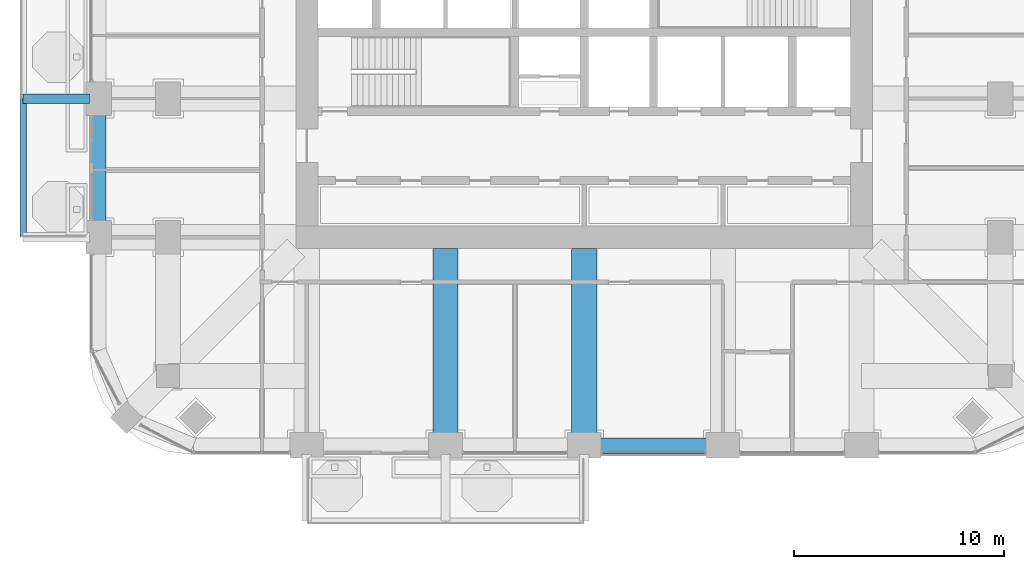
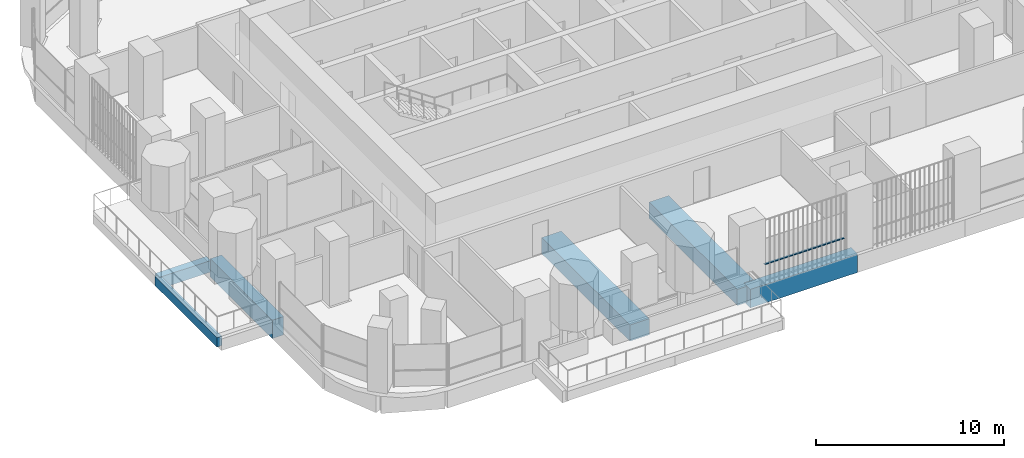
# One storey, part 3 of 20: 6 beams, 1 member, 1 element without a shape of its own.
"""IFC4 building model written with IfcOpenShell, lengths in metres."""

from ifc_helpers import new_model, si_unit, direction, frame, origin, origin_2d, place, context, subcontext, project, spatial, rectangle, extrude, material, material_profile, profile_set, type_object, element, aggregate, save


model = new_model("IFC4")

# Units and contexts
model_context = context("Model", 3, precision=1e-05, world=origin(), true_north=direction((0.0, 1.0)))
body_context = subcontext(model_context, "Body", "Model", "MODEL_VIEW")
ifc_project = project(units=[si_unit("LENGTHUNIT", "METRE"), si_unit("AREAUNIT", "SQUARE_METRE"), si_unit("VOLUMEUNIT", "CUBIC_METRE"), si_unit("PLANEANGLEUNIT", "RADIAN"), si_unit("MASSUNIT", "GRAM", prefix="KILO")], contexts=[model_context])

# Site, building, storey
site_placement = place(None, origin())
site = spatial("IfcSite", under=ifc_project, at=site_placement, CompositionType="ELEMENT")
building_placement = place(site_placement, origin())
building = spatial("IfcBuilding", under=site, at=building_placement, Name="Cobogo Forest Laboratory Tower", CompositionType="ELEMENT")
storey_placement = place(building_placement, frame((0.0, 0.0, 176.699951171875)))
storey = spatial("IfcBuildingStorey", under=building, at=storey_placement, Name="L40", CompositionType="ELEMENT", Elevation=176.699951171875)

# Beams
ifc_material_1 = material(Name="Concrete HA-40 (C40/50)", Category="concrete")
ifc_material_profile_1 = material_profile(ifc_material_1, rectangle(XDim=0.449951171875, YDim=0.75, at=origin_2d()), Name="RC 450x750")
ifc_profile_set_1 = profile_set([ifc_material_profile_1], Name="Concrete HA-40 (C40/50)")
beam_type_1 = type_object("IfcBeamType", Name="Balcony cantilever beam 450x750", PredefinedType="BEAM", material=ifc_profile_set_1)
beam_1_placement = place(storey_placement, frame((2.85009765625, 19.800048828125, -0.625), z_axis=(-1.0, 0.0, 0.0), x_axis=(0.0, -1.0, 0.0)))
element("IfcBeam", 1, at=beam_1_placement, inside=storey, type_object=beam_type_1, Name="CB1 BAL-W1-C2 L40", PredefinedType="BEAM", context=body_context, shape_type="SweptSolid", body=[
    extrude(rectangle(XDim=0.449951171875, YDim=0.75, at=origin_2d()), origin(), (0.0, 0.0, 1.0), 3.150146484375),
])
ifc_material_profile_2 = material_profile(ifc_material_1, rectangle(XDim=0.300048828125, YDim=0.60009765625, at=origin_2d()), Name="RC 300x600")
ifc_profile_set_2 = profile_set([ifc_material_profile_2], Name="Concrete HA-40 (C40/50)")
beam_type_2 = type_object("IfcBeamType", Name="Balcony edge beam 300x600", PredefinedType="BEAM", material=ifc_profile_set_2)
beam_2_placement = place(storey_placement, frame((-0.300048828125, 13.199951171875, -0.550048828125), z_axis=(0.0, 1.0, 0.0), x_axis=(-1.0, 0.0, 0.0)))
element("IfcBeam", 2, at=beam_2_placement, inside=storey, type_object=beam_type_2, Name="BB1 BAL-W1-T1 L40", PredefinedType="BEAM", context=body_context, shape_type="SweptSolid", body=[
    extrude(rectangle(XDim=0.300048828125, YDim=0.60009765625, at=origin_2d()), origin(), (0.0, 0.0, 1.0), 6.60009765625),
])
ifc_material_profile_3 = material_profile(ifc_material_1, rectangle(XDim=1.199951171875, YDim=1.050048828125, at=origin_2d()), Name="RC 1200x1050")
ifc_profile_set_3 = profile_set([ifc_material_profile_3], Name="Concrete HA-40 (C40/50)")
beam_type_3 = type_object("IfcBeamType", Name="Laboratory floor wide beam 1200x1050", PredefinedType="BEAM", material=ifc_profile_set_3)
for number, where, z_axis, x_axis, name in (
    (3, (19.800048828125, 12.675048828125, -0.824951171875), (0.0, -1.0, 0.0), (1.0, 0.0, 0.0), "RB1 R-4-S L40"),
    (4, (26.39990234375, 12.675048828125, -0.824951171875), (0.0, -1.0, 0.0), (1.0, 0.0, 0.0), "RB1 R-5-S L40"),
):
    element("IfcBeam", number, at=place(storey_placement, frame(where, z_axis=z_axis, x_axis=x_axis)), inside=storey, type_object=beam_type_3, Name=name, PredefinedType="BEAM", context=body_context, shape_type="SweptSolid", body=[
        extrude(rectangle(XDim=1.199951171875, YDim=1.050048828125, at=origin_2d()), origin(), (0.0, 0.0, 1.0), 9.375),
    ])
ifc_material_profile_4 = material_profile(ifc_material_1, rectangle(XDim=0.699951171875, YDim=1.199951171875, at=origin_2d()), Name="RC 700x1200")
ifc_profile_set_4 = profile_set([ifc_material_profile_4], Name="Concrete HA-40 (C40/50)")
beam_type_4 = type_object("IfcBeamType", Name="Perimeter edge beam 700x1200", PredefinedType="BEAM", material=ifc_profile_set_4)
for number, where, z_axis, x_axis, name in (
    (5, (26.39990234375, 3.300048828125, -0.89990234375), (1.0, 0.0, 0.0), (0.0, 1.0, 0.0), "EB1 E-S3 L40"),
    (6, (3.300048828125, 13.199951171875, -0.89990234375), (0.0, 1.0, 0.0), (-1.0, 0.0, 0.0), "EB1 E-W1 L40"),
):
    element("IfcBeam", number, at=place(storey_placement, frame(where, z_axis=z_axis, x_axis=x_axis)), inside=storey, type_object=beam_type_4, Name=name, PredefinedType="BEAM", context=body_context, shape_type="SweptSolid", body=[
        extrude(rectangle(XDim=0.699951171875, YDim=1.199951171875, at=origin_2d()), origin(), (0.0, 0.0, 1.0), 6.60009765625),
    ])

# Curtain wall, member
ifc_material_2 = material(Name="Aluminium curtain wall", Category="aluminium")
curtain_wall_type = type_object("IfcCurtainWallType", Name="CW-2 unitised curtain wall, solar control glazing, laboratory floors zones C and D", PredefinedType="USERDEFINED", material=ifc_material_2)
curtain_wall_placement = place(storey_placement, origin())
curtain_wall = element("IfcCurtainWall", 7, at=curtain_wall_placement, inside=storey, type_object=curtain_wall_type, Name="Curtain wall 04 L40", ObjectType="UNITISED CURTAIN WALL", PredefinedType="USERDEFINED")
ifc_material_3 = material(Name="Aluminium transom", Category="aluminium")
ifc_material_profile_5 = material_profile(ifc_material_3, rectangle(XDim=0.1201171875, YDim=0.06005859375, at=origin_2d()), Name="AL 60x120")
ifc_profile_set_5 = profile_set([ifc_material_profile_5], Name="Aluminium transom")
member_type = type_object("IfcMemberType", Name="TR-1 aluminium transom 60x120", PredefinedType="USERDEFINED", material=ifc_profile_set_5)
member_placement = place(storey_placement, frame((27.260009765625, 2.949951171875, 1.050048828125), z_axis=(1.0, 0.0, 0.0), x_axis=(0.0, 1.0, 0.0)))
member = element("IfcMember", 8, at=member_placement, type_object=member_type, Name="CW-2 transom 1.1", ObjectType="TRANSOM", PredefinedType="USERDEFINED", context=body_context, shape_type="SweptSolid", body=[
    extrude(rectangle(XDim=0.1201171875, YDim=0.06005859375, at=origin_2d()), origin(), (0.0, 0.0, 1.0), 4.8798828125),
])
aggregate(curtain_wall, [member])

save(model, "model.ifc")
